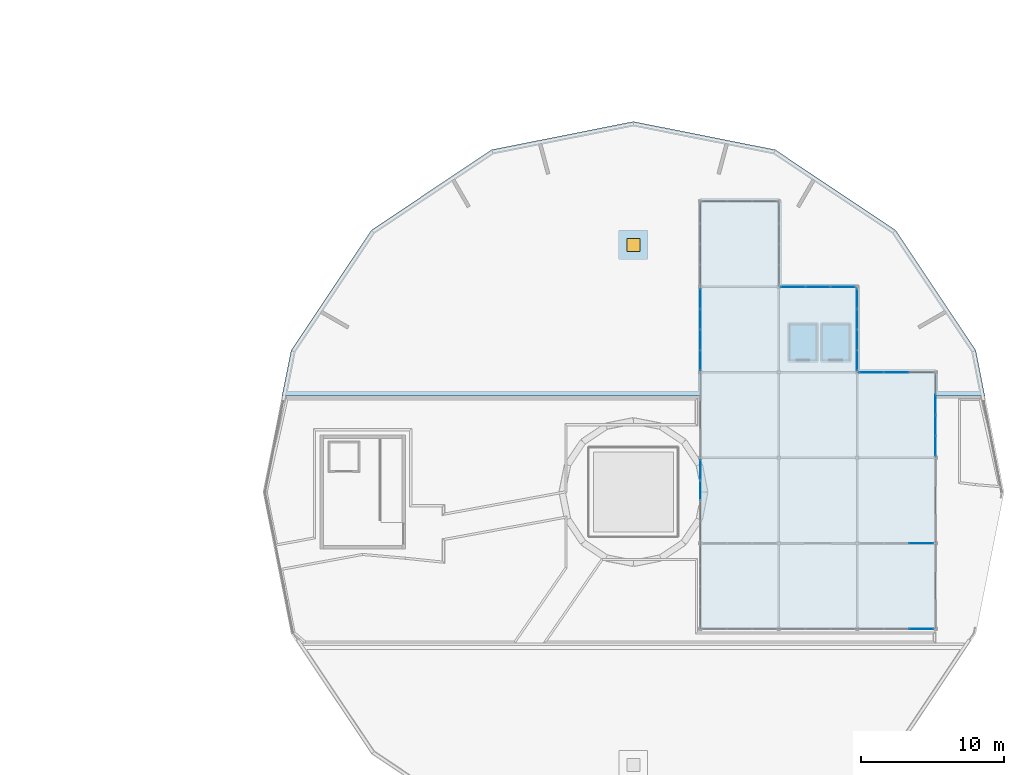
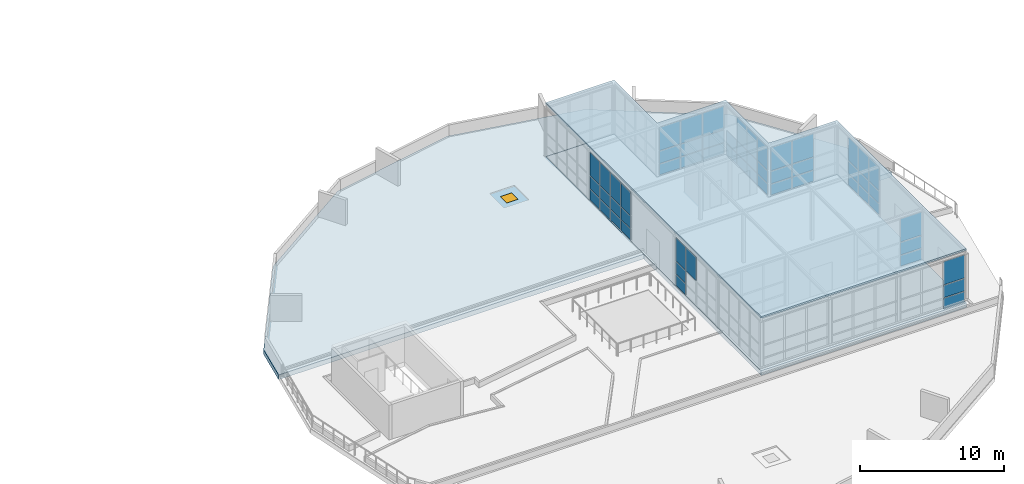
# One storey, part 22 of 40: 57 plates, 3 slabs, 1 window, 1 opening, 8 elements without a shape of their own.
"""IFC4 building model written with IfcOpenShell, lengths in metres."""

from ifc_helpers import new_model, si_unit, direction, frame, origin, origin_2d, place, context, subcontext, project, spatial, polyline, rectangle, outline, extrude, material, layer, layer_set, type_object, element, fill, aggregate, save


model = new_model("IFC4")

# Units and contexts
model_context = context("Model", 3, precision=1e-05, world=origin(), true_north=direction((0.0, 1.0)))
body_context = subcontext(model_context, "Body", "Model", "MODEL_VIEW")
ifc_project = project(units=[si_unit("LENGTHUNIT", "METRE"), si_unit("AREAUNIT", "SQUARE_METRE"), si_unit("VOLUMEUNIT", "CUBIC_METRE"), si_unit("PLANEANGLEUNIT", "RADIAN"), si_unit("MASSUNIT", "GRAM", prefix="KILO")], contexts=[model_context])

# Site, building, storey
site_placement = place(None, origin())
site = spatial("IfcSite", under=ifc_project, at=site_placement, CompositionType="ELEMENT")
building_placement = place(site_placement, origin())
building = spatial("IfcBuilding", under=site, at=building_placement, Name="Ceibo Conservatory and Research Tower", CompositionType="ELEMENT")
storey_placement = place(building_placement, frame((0.0, 0.0, 6.0)))
storey = spatial("IfcBuildingStorey", under=building, at=storey_placement, Name="L01", CompositionType="ELEMENT", Elevation=6.0)

# Slab
ifc_material_1 = material(Name="Concrete C35/45", Category="concrete")
ifc_layer_1 = layer(ifc_material_1, 0.40087890625)
ifc_layer_set_1 = layer_set([ifc_layer_1], Name="Concrete C35/45")
slab_type_1 = type_object("IfcSlabType", Name="RC gallery floor slab 400", PredefinedType="FLOOR", material=ifc_layer_set_1)
slab_1_placement = place(storey_placement, frame((0.0, 0.0, -0.450927734375)))
element("IfcSlab", 1, at=slab_1_placement, inside=storey, type_object=slab_type_1, Name="Sky Gallery floor slab", PredefinedType="FLOOR", context=body_context, shape_type="SweptSolid", body=[
    extrude(outline(polyline([(172.699951171875, 38.39990234375), (172.699951171875, 44.39990234375), (172.699951171875, 50.39990234375), (172.699951171875, 56.39990234375), (178.199951171875, 56.39990234375), (178.199951171875, 50.39990234375), (183.699951171875, 50.39990234375), (183.699951171875, 44.39990234375), (189.199951171875, 44.39990234375), (189.199951171875, 38.39990234375), (189.199951171875, 32.39990234375), (189.199951171875, 26.39990234375), (183.699951171875, 26.39990234375), (178.199951171875, 26.39990234375), (172.699951171875, 26.39990234375), (172.699951171875, 32.39990234375), (172.699951171875, 38.39990234375)])), origin(), (0.0, 0.0, 1.0), 0.40087890625),
])

# Slab, opening, window
ifc_layer_2 = layer(ifc_material_1, 0.40087890625)
ifc_layer_set_2 = layer_set([ifc_layer_2], Name="Concrete C35/45")
slab_type_2 = type_object("IfcSlabType", Name="Roof deck slab 400", PredefinedType="ROOF", material=ifc_layer_set_2)
slab_2_placement = place(storey_placement, frame((0.0, 0.0, -0.450927734375)))
slab_2 = element("IfcSlab", 2, at=slab_2_placement, inside=storey, type_object=slab_type_2, Name="Pavilion planted roof deck 1", PredefinedType="ROOF", context=body_context, shape_type="SweptSolid", body=[
    extrude(outline(polyline([(149.615234375, 54.384765625), (158.05029296875, 60.02099609375), (168.0, 62.0), (177.94970703125, 60.02099609375), (186.384765625, 54.384765625), (192.02099609375, 45.94970703125), (192.6572265625, 42.75), (189.199951171875, 42.75), (189.199951171875, 44.39990234375), (183.699951171875, 44.39990234375), (183.699951171875, 50.39990234375), (178.199951171875, 50.39990234375), (178.199951171875, 56.39990234375), (172.699951171875, 56.39990234375), (172.699951171875, 42.75), (143.3427734375, 42.75), (143.97900390625, 45.94970703125), (149.615234375, 54.384765625)])), origin(), (0.0, 0.0, 1.0), 0.40087890625),
])
opening_placement = place(slab_2_placement, frame((168.0, 53.33740234375, 0.0)))
opening = element("IfcOpeningElement", 3, at=opening_placement, cuts=slab_2, Name="Opening RH1", PredefinedType="OPENING", context=body_context, shape_type="SweptSolid", body=[
    extrude(rectangle(XDim=0.89990234375, YDim=0.89990234375, at=origin_2d()), origin(), (0.0, 0.0, 1.0), 0.40087890625),
])
ifc_material_2 = material(Name="Aluminium and glass", Category="aluminium")
window_type = type_object("IfcWindowType", Name="Roof access hatch 900 x 900", PartitioningType="SINGLE_PANEL", PredefinedType="SKYLIGHT", material=ifc_material_2)
window_placement = place(opening_placement, frame((0.0, 0.0, 0.350830078125)))
window = element("IfcWindow", 4, at=window_placement, inside=storey, type_object=window_type, Name="Planted roof access hatch 2", OverallHeight=0.89990234375, OverallWidth=0.89990234375, PartitioningType="SINGLE_PANEL", PredefinedType="SKYLIGHT", context=body_context, shape_type="SweptSolid", body=[
    extrude(rectangle(XDim=0.89990234375, YDim=0.89990234375, at=origin_2d()), origin(), (0.0, 0.0, 1.0), 0.050048828125),
])
fill(opening, window)

# Slab
ifc_material_3 = material(Name="Insulated metal roof panel")
ifc_layer_3 = layer(ifc_material_3, 0.14990234375)
ifc_layer_set_3 = layer_set([ifc_layer_3], Name="Insulated metal roof panel")
slab_type_3 = type_object("IfcSlabType", Name="Sky gallery light roof 150", PredefinedType="ROOF", material=ifc_layer_set_3)
slab_3_placement = place(storey_placement, frame((0.0, 0.0, 4.39990234375)))
element("IfcSlab", 5, at=slab_3_placement, inside=storey, type_object=slab_type_3, Name="Sky Gallery roof", PredefinedType="ROOF", context=body_context, shape_type="SweptSolid", body=[
    extrude(outline(polyline([(172.699951171875, 38.39990234375), (172.699951171875, 44.39990234375), (172.699951171875, 50.39990234375), (172.699951171875, 56.39990234375), (178.199951171875, 56.39990234375), (178.199951171875, 50.39990234375), (183.699951171875, 50.39990234375), (183.699951171875, 44.39990234375), (189.199951171875, 44.39990234375), (189.199951171875, 38.39990234375), (189.199951171875, 32.39990234375), (189.199951171875, 26.39990234375), (183.699951171875, 26.39990234375), (178.199951171875, 26.39990234375), (172.699951171875, 26.39990234375), (172.699951171875, 32.39990234375), (172.699951171875, 38.39990234375)])), origin(), (0.0, 0.0, 1.0), 0.150146484375),
])

# Curtain wall, plates
curtain_wall_type_1 = type_object("IfcCurtainWallType", Name="Sky gallery partition glazing", PredefinedType="NOTDEFINED", material=ifc_material_2)
curtain_wall_1_placement = place(storey_placement, origin())
curtain_wall_1 = element("IfcCurtainWall", 6, at=curtain_wall_1_placement, inside=storey, type_object=curtain_wall_type_1, Name="Sky Gallery curtain wall h21", PredefinedType="NOTDEFINED")
ifc_material_4 = material(Name="Laminated glass 12 mm", Category="glass")
ifc_layer_4 = layer(ifc_material_4, 0.011962890625)
ifc_layer_set_4 = layer_set([ifc_layer_4], Name="Laminated glass 12 mm")
plate_type_1 = type_object("IfcPlateType", Name="Sky gallery partition glass 12", PredefinedType="CURTAIN_PANEL", material=ifc_layer_set_4)
plate_1_placement = place(storey_placement, frame((188.20166015625, 32.39990234375, 0.06005859375), z_axis=(0.0, 0.0, 1.0), x_axis=(1.0, 0.0, 0.0)))
plate_1 = element("IfcPlate", 7, at=plate_1_placement, type_object=plate_type_1, Name="VC-SWh21 panel 3.1", PredefinedType="CURTAIN_PANEL", context=body_context, shape_type="SweptSolid", body=[
    extrude(rectangle(XDim=1.6767578125, YDim=0.011962890625, at=origin_2d()), origin(), (0.0, 0.0, 1.0), 0.909912109375),
])
plate_2_placement = place(storey_placement, frame((188.20166015625, 32.39990234375, 1.030029296875), z_axis=(0.0, 0.0, 1.0), x_axis=(1.0, 0.0, 0.0)))
plate_2 = element("IfcPlate", 8, at=plate_2_placement, type_object=plate_type_1, Name="VC-SWh21 panel 3.2", PredefinedType="CURTAIN_PANEL", context=body_context, shape_type="SweptSolid", body=[
    extrude(rectangle(XDim=1.6767578125, YDim=0.011962890625, at=origin_2d()), origin(), (0.0, 0.0, 1.0), 1.0400390625),
])
plate_3_placement = place(storey_placement, frame((188.20166015625, 32.39990234375, 2.1298828125), z_axis=(0.0, 0.0, 1.0), x_axis=(1.0, 0.0, 0.0)))
plate_3 = element("IfcPlate", 9, at=plate_3_placement, type_object=plate_type_1, Name="VC-SWh21 panel 3.3", PredefinedType="CURTAIN_PANEL", context=body_context, shape_type="SweptSolid", body=[
    extrude(rectangle(XDim=1.6767578125, YDim=0.011962890625, at=origin_2d()), origin(), (0.0, 0.0, 1.0), 1.969970703125),
])
aggregate(curtain_wall_1, [plate_1, plate_2, plate_3])

curtain_wall_type_2 = type_object("IfcCurtainWallType", Name="Sky gallery curtain wall", PredefinedType="NOTDEFINED", material=ifc_material_2)
curtain_wall_2_placement = place(storey_placement, origin())
curtain_wall_2 = element("IfcCurtainWall", 10, at=curtain_wall_2_placement, inside=storey, type_object=curtain_wall_type_2, Name="Sky Gallery curtain wall h20", PredefinedType="NOTDEFINED")
ifc_material_5 = material(Name="Laminated glass", Category="glass")
ifc_layer_5 = layer(ifc_material_5, 0.028076171875)
ifc_layer_set_5 = layer_set([ifc_layer_5], Name="Laminated glass")
plate_type_2 = type_object("IfcPlateType", Name="Sky gallery wall glass 28", PredefinedType="CURTAIN_PANEL", material=ifc_layer_set_5)
plate_4_placement = place(storey_placement, frame((188.20166015625, 26.39990234375, 0.06005859375), z_axis=(0.0, 0.0, 1.0), x_axis=(1.0, 0.0, 0.0)))
plate_4 = element("IfcPlate", 11, at=plate_4_placement, type_object=plate_type_2, Name="VC-SWh20 panel 3.1", PredefinedType="CURTAIN_PANEL", context=body_context, shape_type="SweptSolid", body=[
    extrude(rectangle(XDim=1.6767578125, YDim=0.028076171875, at=origin_2d()), origin(), (0.0, 0.0, 1.0), 0.909912109375),
])
plate_5_placement = place(storey_placement, frame((188.20166015625, 26.39990234375, 1.030029296875), z_axis=(0.0, 0.0, 1.0), x_axis=(1.0, 0.0, 0.0)))
plate_5 = element("IfcPlate", 12, at=plate_5_placement, type_object=plate_type_2, Name="VC-SWh20 panel 3.2", PredefinedType="CURTAIN_PANEL", context=body_context, shape_type="SweptSolid", body=[
    extrude(rectangle(XDim=1.6767578125, YDim=0.028076171875, at=origin_2d()), origin(), (0.0, 0.0, 1.0), 1.0400390625),
])
plate_6_placement = place(storey_placement, frame((188.20166015625, 26.39990234375, 2.1298828125), z_axis=(0.0, 0.0, 1.0), x_axis=(1.0, 0.0, 0.0)))
plate_6 = element("IfcPlate", 13, at=plate_6_placement, type_object=plate_type_2, Name="VC-SWh20 panel 3.3", PredefinedType="CURTAIN_PANEL", context=body_context, shape_type="SweptSolid", body=[
    extrude(rectangle(XDim=1.6767578125, YDim=0.028076171875, at=origin_2d()), origin(), (0.0, 0.0, 1.0), 1.969970703125),
])
aggregate(curtain_wall_2, [plate_4, plate_5, plate_6])

curtain_wall_3_placement = place(storey_placement, origin())
curtain_wall_3 = element("IfcCurtainWall", 14, at=curtain_wall_3_placement, inside=storey, type_object=curtain_wall_type_2, Name="Sky Gallery curtain wall h23", PredefinedType="NOTDEFINED")
plate_7_placement = place(storey_placement, frame((184.6982421875, 44.39990234375, 0.06005859375), z_axis=(0.0, 0.0, 1.0), x_axis=(1.0, 0.0, 0.0)))
plate_7 = element("IfcPlate", 15, at=plate_7_placement, type_object=plate_type_2, Name="VC-SWh23 panel 1.1", PredefinedType="CURTAIN_PANEL", context=body_context, shape_type="SweptSolid", body=[
    extrude(rectangle(XDim=1.6767578125, YDim=0.028076171875, at=origin_2d()), origin(), (0.0, 0.0, 1.0), 0.909912109375),
])
plate_8_placement = place(storey_placement, frame((184.6982421875, 44.39990234375, 1.030029296875), z_axis=(0.0, 0.0, 1.0), x_axis=(1.0, 0.0, 0.0)))
plate_8 = element("IfcPlate", 16, at=plate_8_placement, type_object=plate_type_2, Name="VC-SWh23 panel 1.2", PredefinedType="CURTAIN_PANEL", context=body_context, shape_type="SweptSolid", body=[
    extrude(rectangle(XDim=1.6767578125, YDim=0.028076171875, at=origin_2d()), origin(), (0.0, 0.0, 1.0), 1.0400390625),
])
plate_9_placement = place(storey_placement, frame((184.6982421875, 44.39990234375, 2.1298828125), z_axis=(0.0, 0.0, 1.0), x_axis=(1.0, 0.0, 0.0)))
plate_9 = element("IfcPlate", 17, at=plate_9_placement, type_object=plate_type_2, Name="VC-SWh23 panel 1.3", PredefinedType="CURTAIN_PANEL", context=body_context, shape_type="SweptSolid", body=[
    extrude(rectangle(XDim=1.6767578125, YDim=0.028076171875, at=origin_2d()), origin(), (0.0, 0.0, 1.0), 1.969970703125),
])
plate_10_placement = place(storey_placement, frame((186.449951171875, 44.39990234375, 0.06005859375), z_axis=(0.0, 0.0, 1.0), x_axis=(1.0, 0.0, 0.0)))
plate_10 = element("IfcPlate", 18, at=plate_10_placement, type_object=plate_type_2, Name="VC-SWh23 panel 2.1", PredefinedType="CURTAIN_PANEL", context=body_context, shape_type="SweptSolid", body=[
    extrude(rectangle(XDim=1.706787109375, YDim=0.028076171875, at=origin_2d()), origin(), (0.0, 0.0, 1.0), 0.909912109375),
])
plate_11_placement = place(storey_placement, frame((186.449951171875, 44.39990234375, 1.030029296875), z_axis=(0.0, 0.0, 1.0), x_axis=(1.0, 0.0, 0.0)))
plate_11 = element("IfcPlate", 19, at=plate_11_placement, type_object=plate_type_2, Name="VC-SWh23 panel 2.2", PredefinedType="CURTAIN_PANEL", context=body_context, shape_type="SweptSolid", body=[
    extrude(rectangle(XDim=1.706787109375, YDim=0.028076171875, at=origin_2d()), origin(), (0.0, 0.0, 1.0), 1.0400390625),
])
plate_12_placement = place(storey_placement, frame((186.449951171875, 44.39990234375, 2.1298828125), z_axis=(0.0, 0.0, 1.0), x_axis=(1.0, 0.0, 0.0)))
plate_12 = element("IfcPlate", 20, at=plate_12_placement, type_object=plate_type_2, Name="VC-SWh23 panel 2.3", PredefinedType="CURTAIN_PANEL", context=body_context, shape_type="SweptSolid", body=[
    extrude(rectangle(XDim=1.706787109375, YDim=0.028076171875, at=origin_2d()), origin(), (0.0, 0.0, 1.0), 1.969970703125),
])
aggregate(curtain_wall_3, [plate_7, plate_8, plate_9, plate_10, plate_11, plate_12])

curtain_wall_4_placement = place(storey_placement, origin())
curtain_wall_4 = element("IfcCurtainWall", 21, at=curtain_wall_4_placement, inside=storey, type_object=curtain_wall_type_2, Name="Sky Gallery curtain wall h14", PredefinedType="NOTDEFINED")
plate_13_placement = place(storey_placement, frame((179.1982421875, 50.39990234375, 0.06005859375), z_axis=(0.0, 0.0, 1.0), x_axis=(1.0, 0.0, 0.0)))
plate_13 = element("IfcPlate", 22, at=plate_13_placement, type_object=plate_type_2, Name="VC-SWh14 panel 1.1", PredefinedType="CURTAIN_PANEL", context=body_context, shape_type="SweptSolid", body=[
    extrude(rectangle(XDim=1.6767578125, YDim=0.028076171875, at=origin_2d()), origin(), (0.0, 0.0, 1.0), 0.909912109375),
])
plate_14_placement = place(storey_placement, frame((179.1982421875, 50.39990234375, 1.030029296875), z_axis=(0.0, 0.0, 1.0), x_axis=(1.0, 0.0, 0.0)))
plate_14 = element("IfcPlate", 23, at=plate_14_placement, type_object=plate_type_2, Name="VC-SWh14 panel 1.2", PredefinedType="CURTAIN_PANEL", context=body_context, shape_type="SweptSolid", body=[
    extrude(rectangle(XDim=1.6767578125, YDim=0.028076171875, at=origin_2d()), origin(), (0.0, 0.0, 1.0), 1.0400390625),
])
plate_15_placement = place(storey_placement, frame((179.1982421875, 50.39990234375, 2.1298828125), z_axis=(0.0, 0.0, 1.0), x_axis=(1.0, 0.0, 0.0)))
plate_15 = element("IfcPlate", 24, at=plate_15_placement, type_object=plate_type_2, Name="VC-SWh14 panel 1.3", PredefinedType="CURTAIN_PANEL", context=body_context, shape_type="SweptSolid", body=[
    extrude(rectangle(XDim=1.6767578125, YDim=0.028076171875, at=origin_2d()), origin(), (0.0, 0.0, 1.0), 1.969970703125),
])
plate_16_placement = place(storey_placement, frame((180.949951171875, 50.39990234375, 0.06005859375), z_axis=(0.0, 0.0, 1.0), x_axis=(1.0, 0.0, 0.0)))
plate_16 = element("IfcPlate", 25, at=plate_16_placement, type_object=plate_type_2, Name="VC-SWh14 panel 2.1", PredefinedType="CURTAIN_PANEL", context=body_context, shape_type="SweptSolid", body=[
    extrude(rectangle(XDim=1.706787109375, YDim=0.028076171875, at=origin_2d()), origin(), (0.0, 0.0, 1.0), 0.909912109375),
])
plate_17_placement = place(storey_placement, frame((180.949951171875, 50.39990234375, 1.030029296875), z_axis=(0.0, 0.0, 1.0), x_axis=(1.0, 0.0, 0.0)))
plate_17 = element("IfcPlate", 26, at=plate_17_placement, type_object=plate_type_2, Name="VC-SWh14 panel 2.2", PredefinedType="CURTAIN_PANEL", context=body_context, shape_type="SweptSolid", body=[
    extrude(rectangle(XDim=1.706787109375, YDim=0.028076171875, at=origin_2d()), origin(), (0.0, 0.0, 1.0), 1.0400390625),
])
plate_18_placement = place(storey_placement, frame((180.949951171875, 50.39990234375, 2.1298828125), z_axis=(0.0, 0.0, 1.0), x_axis=(1.0, 0.0, 0.0)))
plate_18 = element("IfcPlate", 27, at=plate_18_placement, type_object=plate_type_2, Name="VC-SWh14 panel 2.3", PredefinedType="CURTAIN_PANEL", context=body_context, shape_type="SweptSolid", body=[
    extrude(rectangle(XDim=1.706787109375, YDim=0.028076171875, at=origin_2d()), origin(), (0.0, 0.0, 1.0), 1.969970703125),
])
plate_19_placement = place(storey_placement, frame((182.70166015625, 50.39990234375, 0.06005859375), z_axis=(0.0, 0.0, 1.0), x_axis=(1.0, 0.0, 0.0)))
plate_19 = element("IfcPlate", 28, at=plate_19_placement, type_object=plate_type_2, Name="VC-SWh14 panel 3.1", PredefinedType="CURTAIN_PANEL", context=body_context, shape_type="SweptSolid", body=[
    extrude(rectangle(XDim=1.6767578125, YDim=0.028076171875, at=origin_2d()), origin(), (0.0, 0.0, 1.0), 0.909912109375),
])
plate_20_placement = place(storey_placement, frame((182.70166015625, 50.39990234375, 1.030029296875), z_axis=(0.0, 0.0, 1.0), x_axis=(1.0, 0.0, 0.0)))
plate_20 = element("IfcPlate", 29, at=plate_20_placement, type_object=plate_type_2, Name="VC-SWh14 panel 3.2", PredefinedType="CURTAIN_PANEL", context=body_context, shape_type="SweptSolid", body=[
    extrude(rectangle(XDim=1.6767578125, YDim=0.028076171875, at=origin_2d()), origin(), (0.0, 0.0, 1.0), 1.0400390625),
])
plate_21_placement = place(storey_placement, frame((182.70166015625, 50.39990234375, 2.1298828125), z_axis=(0.0, 0.0, 1.0), x_axis=(1.0, 0.0, 0.0)))
plate_21 = element("IfcPlate", 30, at=plate_21_placement, type_object=plate_type_2, Name="VC-SWh14 panel 3.3", PredefinedType="CURTAIN_PANEL", context=body_context, shape_type="SweptSolid", body=[
    extrude(rectangle(XDim=1.6767578125, YDim=0.028076171875, at=origin_2d()), origin(), (0.0, 0.0, 1.0), 1.969970703125),
])
aggregate(curtain_wall_4, [plate_13, plate_14, plate_15, plate_16, plate_17, plate_18, plate_19, plate_20, plate_21])

curtain_wall_5_placement = place(storey_placement, origin())
curtain_wall_5 = element("IfcCurtainWall", 31, at=curtain_wall_5_placement, inside=storey, type_object=curtain_wall_type_2, Name="Sky Gallery curtain wall v01", PredefinedType="NOTDEFINED")
plate_22_placement = place(storey_placement, frame((172.699951171875, 36.125, 2.1298828125), z_axis=(0.0, 0.0, 1.0), x_axis=(0.0, 1.0, 0.0)))
plate_22 = element("IfcPlate", 32, at=plate_22_placement, type_object=plate_type_2, Name="VC-SWv01 panel 3.3", PredefinedType="CURTAIN_PANEL", context=body_context, shape_type="SweptSolid", body=[
    extrude(rectangle(XDim=1.389892578125, YDim=0.028076171875, at=origin_2d()), origin(), (0.0, 0.0, 1.0), 1.969970703125),
])
plate_23_placement = place(storey_placement, frame((172.699951171875, 37.56005859375, 0.06005859375), z_axis=(0.0, 0.0, 1.0), x_axis=(0.0, 1.0, 0.0)))
plate_23 = element("IfcPlate", 33, at=plate_23_placement, type_object=plate_type_2, Name="VC-SWv01 panel 4.1", PredefinedType="CURTAIN_PANEL", context=body_context, shape_type="SweptSolid", body=[
    extrude(rectangle(XDim=1.360107421875, YDim=0.028076171875, at=origin_2d()), origin(), (0.0, 0.0, 1.0), 0.909912109375),
])
plate_24_placement = place(storey_placement, frame((172.699951171875, 37.56005859375, 1.030029296875), z_axis=(0.0, 0.0, 1.0), x_axis=(0.0, 1.0, 0.0)))
plate_24 = element("IfcPlate", 34, at=plate_24_placement, type_object=plate_type_2, Name="VC-SWv01 panel 4.2", PredefinedType="CURTAIN_PANEL", context=body_context, shape_type="SweptSolid", body=[
    extrude(rectangle(XDim=1.360107421875, YDim=0.028076171875, at=origin_2d()), origin(), (0.0, 0.0, 1.0), 1.0400390625),
])
plate_25_placement = place(storey_placement, frame((172.699951171875, 37.56005859375, 2.1298828125), z_axis=(0.0, 0.0, 1.0), x_axis=(0.0, 1.0, 0.0)))
plate_25 = element("IfcPlate", 35, at=plate_25_placement, type_object=plate_type_2, Name="VC-SWv01 panel 4.3", PredefinedType="CURTAIN_PANEL", context=body_context, shape_type="SweptSolid", body=[
    extrude(rectangle(XDim=1.360107421875, YDim=0.028076171875, at=origin_2d()), origin(), (0.0, 0.0, 1.0), 1.969970703125),
])
aggregate(curtain_wall_5, [plate_22, plate_23, plate_24, plate_25])

curtain_wall_6_placement = place(storey_placement, origin())
curtain_wall_6 = element("IfcCurtainWall", 36, at=curtain_wall_6_placement, inside=storey, type_object=curtain_wall_type_2, Name="Sky Gallery curtain wall v03", PredefinedType="NOTDEFINED")
plate_26_placement = place(storey_placement, frame((172.699951171875, 45.239990234375, 0.06005859375), z_axis=(0.0, 0.0, 1.0), x_axis=(0.0, 1.0, 0.0)))
plate_26 = element("IfcPlate", 37, at=plate_26_placement, type_object=plate_type_2, Name="VC-SWv03 panel 1.1", PredefinedType="CURTAIN_PANEL", context=body_context, shape_type="SweptSolid", body=[
    extrude(rectangle(XDim=1.360107421875, YDim=0.028076171875, at=origin_2d()), origin(), (0.0, 0.0, 1.0), 0.909912109375),
])
plate_27_placement = place(storey_placement, frame((172.699951171875, 45.239990234375, 1.030029296875), z_axis=(0.0, 0.0, 1.0), x_axis=(0.0, 1.0, 0.0)))
plate_27 = element("IfcPlate", 38, at=plate_27_placement, type_object=plate_type_2, Name="VC-SWv03 panel 1.2", PredefinedType="CURTAIN_PANEL", context=body_context, shape_type="SweptSolid", body=[
    extrude(rectangle(XDim=1.360107421875, YDim=0.028076171875, at=origin_2d()), origin(), (0.0, 0.0, 1.0), 1.0400390625),
])
plate_28_placement = place(storey_placement, frame((172.699951171875, 45.239990234375, 2.1298828125), z_axis=(0.0, 0.0, 1.0), x_axis=(0.0, 1.0, 0.0)))
plate_28 = element("IfcPlate", 39, at=plate_28_placement, type_object=plate_type_2, Name="VC-SWv03 panel 1.3", PredefinedType="CURTAIN_PANEL", context=body_context, shape_type="SweptSolid", body=[
    extrude(rectangle(XDim=1.360107421875, YDim=0.028076171875, at=origin_2d()), origin(), (0.0, 0.0, 1.0), 1.969970703125),
])
plate_29_placement = place(storey_placement, frame((172.699951171875, 46.675048828125, 0.06005859375), z_axis=(0.0, 0.0, 1.0), x_axis=(0.0, 1.0, 0.0)))
plate_29 = element("IfcPlate", 40, at=plate_29_placement, type_object=plate_type_2, Name="VC-SWv03 panel 2.1", PredefinedType="CURTAIN_PANEL", context=body_context, shape_type="SweptSolid", body=[
    extrude(rectangle(XDim=1.389892578125, YDim=0.028076171875, at=origin_2d()), origin(), (0.0, 0.0, 1.0), 0.909912109375),
])
plate_30_placement = place(storey_placement, frame((172.699951171875, 46.675048828125, 1.030029296875), z_axis=(0.0, 0.0, 1.0), x_axis=(0.0, 1.0, 0.0)))
plate_30 = element("IfcPlate", 41, at=plate_30_placement, type_object=plate_type_2, Name="VC-SWv03 panel 2.2", PredefinedType="CURTAIN_PANEL", context=body_context, shape_type="SweptSolid", body=[
    extrude(rectangle(XDim=1.389892578125, YDim=0.028076171875, at=origin_2d()), origin(), (0.0, 0.0, 1.0), 1.0400390625),
])
plate_31_placement = place(storey_placement, frame((172.699951171875, 46.675048828125, 2.1298828125), z_axis=(0.0, 0.0, 1.0), x_axis=(0.0, 1.0, 0.0)))
plate_31 = element("IfcPlate", 42, at=plate_31_placement, type_object=plate_type_2, Name="VC-SWv03 panel 2.3", PredefinedType="CURTAIN_PANEL", context=body_context, shape_type="SweptSolid", body=[
    extrude(rectangle(XDim=1.389892578125, YDim=0.028076171875, at=origin_2d()), origin(), (0.0, 0.0, 1.0), 1.969970703125),
])
plate_32_placement = place(storey_placement, frame((172.699951171875, 48.125, 0.06005859375), z_axis=(0.0, 0.0, 1.0), x_axis=(0.0, 1.0, 0.0)))
plate_32 = element("IfcPlate", 43, at=plate_32_placement, type_object=plate_type_2, Name="VC-SWv03 panel 3.1", PredefinedType="CURTAIN_PANEL", context=body_context, shape_type="SweptSolid", body=[
    extrude(rectangle(XDim=1.389892578125, YDim=0.028076171875, at=origin_2d()), origin(), (0.0, 0.0, 1.0), 0.909912109375),
])
plate_33_placement = place(storey_placement, frame((172.699951171875, 48.125, 1.030029296875), z_axis=(0.0, 0.0, 1.0), x_axis=(0.0, 1.0, 0.0)))
plate_33 = element("IfcPlate", 44, at=plate_33_placement, type_object=plate_type_2, Name="VC-SWv03 panel 3.2", PredefinedType="CURTAIN_PANEL", context=body_context, shape_type="SweptSolid", body=[
    extrude(rectangle(XDim=1.389892578125, YDim=0.028076171875, at=origin_2d()), origin(), (0.0, 0.0, 1.0), 1.0400390625),
])
plate_34_placement = place(storey_placement, frame((172.699951171875, 48.125, 2.1298828125), z_axis=(0.0, 0.0, 1.0), x_axis=(0.0, 1.0, 0.0)))
plate_34 = element("IfcPlate", 45, at=plate_34_placement, type_object=plate_type_2, Name="VC-SWv03 panel 3.3", PredefinedType="CURTAIN_PANEL", context=body_context, shape_type="SweptSolid", body=[
    extrude(rectangle(XDim=1.389892578125, YDim=0.028076171875, at=origin_2d()), origin(), (0.0, 0.0, 1.0), 1.969970703125),
])
plate_35_placement = place(storey_placement, frame((172.699951171875, 49.56005859375, 0.06005859375), z_axis=(0.0, 0.0, 1.0), x_axis=(0.0, 1.0, 0.0)))
plate_35 = element("IfcPlate", 46, at=plate_35_placement, type_object=plate_type_2, Name="VC-SWv03 panel 4.1", PredefinedType="CURTAIN_PANEL", context=body_context, shape_type="SweptSolid", body=[
    extrude(rectangle(XDim=1.360107421875, YDim=0.028076171875, at=origin_2d()), origin(), (0.0, 0.0, 1.0), 0.909912109375),
])
plate_36_placement = place(storey_placement, frame((172.699951171875, 49.56005859375, 1.030029296875), z_axis=(0.0, 0.0, 1.0), x_axis=(0.0, 1.0, 0.0)))
plate_36 = element("IfcPlate", 47, at=plate_36_placement, type_object=plate_type_2, Name="VC-SWv03 panel 4.2", PredefinedType="CURTAIN_PANEL", context=body_context, shape_type="SweptSolid", body=[
    extrude(rectangle(XDim=1.360107421875, YDim=0.028076171875, at=origin_2d()), origin(), (0.0, 0.0, 1.0), 1.0400390625),
])
plate_37_placement = place(storey_placement, frame((172.699951171875, 49.56005859375, 2.1298828125), z_axis=(0.0, 0.0, 1.0), x_axis=(0.0, 1.0, 0.0)))
plate_37 = element("IfcPlate", 48, at=plate_37_placement, type_object=plate_type_2, Name="VC-SWv03 panel 4.3", PredefinedType="CURTAIN_PANEL", context=body_context, shape_type="SweptSolid", body=[
    extrude(rectangle(XDim=1.360107421875, YDim=0.028076171875, at=origin_2d()), origin(), (0.0, 0.0, 1.0), 1.969970703125),
])
aggregate(curtain_wall_6, [plate_26, plate_27, plate_28, plate_29, plate_30, plate_31, plate_32, plate_33, plate_34, plate_35, plate_36, plate_37])

curtain_wall_7_placement = place(storey_placement, origin())
curtain_wall_7 = element("IfcCurtainWall", 49, at=curtain_wall_7_placement, inside=storey, type_object=curtain_wall_type_2, Name="Sky Gallery curtain wall v23", PredefinedType="NOTDEFINED")
plate_38_placement = place(storey_placement, frame((183.699951171875, 45.239990234375, 0.06005859375), z_axis=(0.0, 0.0, 1.0), x_axis=(0.0, 1.0, 0.0)))
plate_38 = element("IfcPlate", 50, at=plate_38_placement, type_object=plate_type_2, Name="VC-SWv23 panel 1.1", PredefinedType="CURTAIN_PANEL", context=body_context, shape_type="SweptSolid", body=[
    extrude(rectangle(XDim=1.360107421875, YDim=0.028076171875, at=origin_2d()), origin(), (0.0, 0.0, 1.0), 0.909912109375),
])
plate_39_placement = place(storey_placement, frame((183.699951171875, 45.239990234375, 1.030029296875), z_axis=(0.0, 0.0, 1.0), x_axis=(0.0, 1.0, 0.0)))
plate_39 = element("IfcPlate", 51, at=plate_39_placement, type_object=plate_type_2, Name="VC-SWv23 panel 1.2", PredefinedType="CURTAIN_PANEL", context=body_context, shape_type="SweptSolid", body=[
    extrude(rectangle(XDim=1.360107421875, YDim=0.028076171875, at=origin_2d()), origin(), (0.0, 0.0, 1.0), 1.0400390625),
])
plate_40_placement = place(storey_placement, frame((183.699951171875, 45.239990234375, 2.1298828125), z_axis=(0.0, 0.0, 1.0), x_axis=(0.0, 1.0, 0.0)))
plate_40 = element("IfcPlate", 52, at=plate_40_placement, type_object=plate_type_2, Name="VC-SWv23 panel 1.3", PredefinedType="CURTAIN_PANEL", context=body_context, shape_type="SweptSolid", body=[
    extrude(rectangle(XDim=1.360107421875, YDim=0.028076171875, at=origin_2d()), origin(), (0.0, 0.0, 1.0), 1.969970703125),
])
plate_41_placement = place(storey_placement, frame((183.699951171875, 46.675048828125, 0.06005859375), z_axis=(0.0, 0.0, 1.0), x_axis=(0.0, 1.0, 0.0)))
plate_41 = element("IfcPlate", 53, at=plate_41_placement, type_object=plate_type_2, Name="VC-SWv23 panel 2.1", PredefinedType="CURTAIN_PANEL", context=body_context, shape_type="SweptSolid", body=[
    extrude(rectangle(XDim=1.389892578125, YDim=0.028076171875, at=origin_2d()), origin(), (0.0, 0.0, 1.0), 0.909912109375),
])
plate_42_placement = place(storey_placement, frame((183.699951171875, 46.675048828125, 1.030029296875), z_axis=(0.0, 0.0, 1.0), x_axis=(0.0, 1.0, 0.0)))
plate_42 = element("IfcPlate", 54, at=plate_42_placement, type_object=plate_type_2, Name="VC-SWv23 panel 2.2", PredefinedType="CURTAIN_PANEL", context=body_context, shape_type="SweptSolid", body=[
    extrude(rectangle(XDim=1.389892578125, YDim=0.028076171875, at=origin_2d()), origin(), (0.0, 0.0, 1.0), 1.0400390625),
])
plate_43_placement = place(storey_placement, frame((183.699951171875, 46.675048828125, 2.1298828125), z_axis=(0.0, 0.0, 1.0), x_axis=(0.0, 1.0, 0.0)))
plate_43 = element("IfcPlate", 55, at=plate_43_placement, type_object=plate_type_2, Name="VC-SWv23 panel 2.3", PredefinedType="CURTAIN_PANEL", context=body_context, shape_type="SweptSolid", body=[
    extrude(rectangle(XDim=1.389892578125, YDim=0.028076171875, at=origin_2d()), origin(), (0.0, 0.0, 1.0), 1.969970703125),
])
plate_44_placement = place(storey_placement, frame((183.699951171875, 48.125, 0.06005859375), z_axis=(0.0, 0.0, 1.0), x_axis=(0.0, 1.0, 0.0)))
plate_44 = element("IfcPlate", 56, at=plate_44_placement, type_object=plate_type_2, Name="VC-SWv23 panel 3.1", PredefinedType="CURTAIN_PANEL", context=body_context, shape_type="SweptSolid", body=[
    extrude(rectangle(XDim=1.389892578125, YDim=0.028076171875, at=origin_2d()), origin(), (0.0, 0.0, 1.0), 0.909912109375),
])
plate_45_placement = place(storey_placement, frame((183.699951171875, 48.125, 1.030029296875), z_axis=(0.0, 0.0, 1.0), x_axis=(0.0, 1.0, 0.0)))
plate_45 = element("IfcPlate", 57, at=plate_45_placement, type_object=plate_type_2, Name="VC-SWv23 panel 3.2", PredefinedType="CURTAIN_PANEL", context=body_context, shape_type="SweptSolid", body=[
    extrude(rectangle(XDim=1.389892578125, YDim=0.028076171875, at=origin_2d()), origin(), (0.0, 0.0, 1.0), 1.0400390625),
])
plate_46_placement = place(storey_placement, frame((183.699951171875, 48.125, 2.1298828125), z_axis=(0.0, 0.0, 1.0), x_axis=(0.0, 1.0, 0.0)))
plate_46 = element("IfcPlate", 58, at=plate_46_placement, type_object=plate_type_2, Name="VC-SWv23 panel 3.3", PredefinedType="CURTAIN_PANEL", context=body_context, shape_type="SweptSolid", body=[
    extrude(rectangle(XDim=1.389892578125, YDim=0.028076171875, at=origin_2d()), origin(), (0.0, 0.0, 1.0), 1.969970703125),
])
plate_47_placement = place(storey_placement, frame((183.699951171875, 49.56005859375, 0.06005859375), z_axis=(0.0, 0.0, 1.0), x_axis=(0.0, 1.0, 0.0)))
plate_47 = element("IfcPlate", 59, at=plate_47_placement, type_object=plate_type_2, Name="VC-SWv23 panel 4.1", PredefinedType="CURTAIN_PANEL", context=body_context, shape_type="SweptSolid", body=[
    extrude(rectangle(XDim=1.360107421875, YDim=0.028076171875, at=origin_2d()), origin(), (0.0, 0.0, 1.0), 0.909912109375),
])
plate_48_placement = place(storey_placement, frame((183.699951171875, 49.56005859375, 1.030029296875), z_axis=(0.0, 0.0, 1.0), x_axis=(0.0, 1.0, 0.0)))
plate_48 = element("IfcPlate", 60, at=plate_48_placement, type_object=plate_type_2, Name="VC-SWv23 panel 4.2", PredefinedType="CURTAIN_PANEL", context=body_context, shape_type="SweptSolid", body=[
    extrude(rectangle(XDim=1.360107421875, YDim=0.028076171875, at=origin_2d()), origin(), (0.0, 0.0, 1.0), 1.0400390625),
])
aggregate(curtain_wall_7, [plate_38, plate_39, plate_40, plate_41, plate_42, plate_43, plate_44, plate_45, plate_46, plate_47, plate_48])

curtain_wall_8_placement = place(storey_placement, origin())
curtain_wall_8 = element("IfcCurtainWall", 61, at=curtain_wall_8_placement, inside=storey, type_object=curtain_wall_type_2, Name="Sky Gallery curtain wall v32", PredefinedType="NOTDEFINED")
plate_49_placement = place(storey_placement, frame((189.199951171875, 39.239990234375, 0.06005859375), z_axis=(0.0, 0.0, 1.0), x_axis=(0.0, 1.0, 0.0)))
plate_49 = element("IfcPlate", 62, at=plate_49_placement, type_object=plate_type_2, Name="VC-SWv32 panel 1.1", PredefinedType="CURTAIN_PANEL", context=body_context, shape_type="SweptSolid", body=[
    extrude(rectangle(XDim=1.360107421875, YDim=0.028076171875, at=origin_2d()), origin(), (0.0, 0.0, 1.0), 0.909912109375),
])
plate_50_placement = place(storey_placement, frame((189.199951171875, 39.239990234375, 1.030029296875), z_axis=(0.0, 0.0, 1.0), x_axis=(0.0, 1.0, 0.0)))
plate_50 = element("IfcPlate", 63, at=plate_50_placement, type_object=plate_type_2, Name="VC-SWv32 panel 1.2", PredefinedType="CURTAIN_PANEL", context=body_context, shape_type="SweptSolid", body=[
    extrude(rectangle(XDim=1.360107421875, YDim=0.028076171875, at=origin_2d()), origin(), (0.0, 0.0, 1.0), 1.0400390625),
])
plate_51_placement = place(storey_placement, frame((189.199951171875, 39.239990234375, 2.1298828125), z_axis=(0.0, 0.0, 1.0), x_axis=(0.0, 1.0, 0.0)))
plate_51 = element("IfcPlate", 64, at=plate_51_placement, type_object=plate_type_2, Name="VC-SWv32 panel 1.3", PredefinedType="CURTAIN_PANEL", context=body_context, shape_type="SweptSolid", body=[
    extrude(rectangle(XDim=1.360107421875, YDim=0.028076171875, at=origin_2d()), origin(), (0.0, 0.0, 1.0), 1.969970703125),
])
plate_52_placement = place(storey_placement, frame((189.199951171875, 40.675048828125, 0.06005859375), z_axis=(0.0, 0.0, 1.0), x_axis=(0.0, 1.0, 0.0)))
plate_52 = element("IfcPlate", 65, at=plate_52_placement, type_object=plate_type_2, Name="VC-SWv32 panel 2.1", PredefinedType="CURTAIN_PANEL", context=body_context, shape_type="SweptSolid", body=[
    extrude(rectangle(XDim=1.389892578125, YDim=0.028076171875, at=origin_2d()), origin(), (0.0, 0.0, 1.0), 0.909912109375),
])
plate_53_placement = place(storey_placement, frame((189.199951171875, 40.675048828125, 1.030029296875), z_axis=(0.0, 0.0, 1.0), x_axis=(0.0, 1.0, 0.0)))
plate_53 = element("IfcPlate", 66, at=plate_53_placement, type_object=plate_type_2, Name="VC-SWv32 panel 2.2", PredefinedType="CURTAIN_PANEL", context=body_context, shape_type="SweptSolid", body=[
    extrude(rectangle(XDim=1.389892578125, YDim=0.028076171875, at=origin_2d()), origin(), (0.0, 0.0, 1.0), 1.0400390625),
])
plate_54_placement = place(storey_placement, frame((189.199951171875, 40.675048828125, 2.1298828125), z_axis=(0.0, 0.0, 1.0), x_axis=(0.0, 1.0, 0.0)))
plate_54 = element("IfcPlate", 67, at=plate_54_placement, type_object=plate_type_2, Name="VC-SWv32 panel 2.3", PredefinedType="CURTAIN_PANEL", context=body_context, shape_type="SweptSolid", body=[
    extrude(rectangle(XDim=1.389892578125, YDim=0.028076171875, at=origin_2d()), origin(), (0.0, 0.0, 1.0), 1.969970703125),
])
plate_55_placement = place(storey_placement, frame((189.199951171875, 42.125, 0.06005859375), z_axis=(0.0, 0.0, 1.0), x_axis=(0.0, 1.0, 0.0)))
plate_55 = element("IfcPlate", 68, at=plate_55_placement, type_object=plate_type_2, Name="VC-SWv32 panel 3.1", PredefinedType="CURTAIN_PANEL", context=body_context, shape_type="SweptSolid", body=[
    extrude(rectangle(XDim=1.389892578125, YDim=0.028076171875, at=origin_2d()), origin(), (0.0, 0.0, 1.0), 0.909912109375),
])
plate_56_placement = place(storey_placement, frame((189.199951171875, 42.125, 1.030029296875), z_axis=(0.0, 0.0, 1.0), x_axis=(0.0, 1.0, 0.0)))
plate_56 = element("IfcPlate", 69, at=plate_56_placement, type_object=plate_type_2, Name="VC-SWv32 panel 3.2", PredefinedType="CURTAIN_PANEL", context=body_context, shape_type="SweptSolid", body=[
    extrude(rectangle(XDim=1.389892578125, YDim=0.028076171875, at=origin_2d()), origin(), (0.0, 0.0, 1.0), 1.0400390625),
])
plate_57_placement = place(storey_placement, frame((189.199951171875, 42.125, 2.1298828125), z_axis=(0.0, 0.0, 1.0), x_axis=(0.0, 1.0, 0.0)))
plate_57 = element("IfcPlate", 70, at=plate_57_placement, type_object=plate_type_2, Name="VC-SWv32 panel 3.3", PredefinedType="CURTAIN_PANEL", context=body_context, shape_type="SweptSolid", body=[
    extrude(rectangle(XDim=1.389892578125, YDim=0.028076171875, at=origin_2d()), origin(), (0.0, 0.0, 1.0), 1.969970703125),
])
aggregate(curtain_wall_8, [plate_49, plate_50, plate_51, plate_52, plate_53, plate_54, plate_55, plate_56, plate_57])

save(model, "model.ifc")
